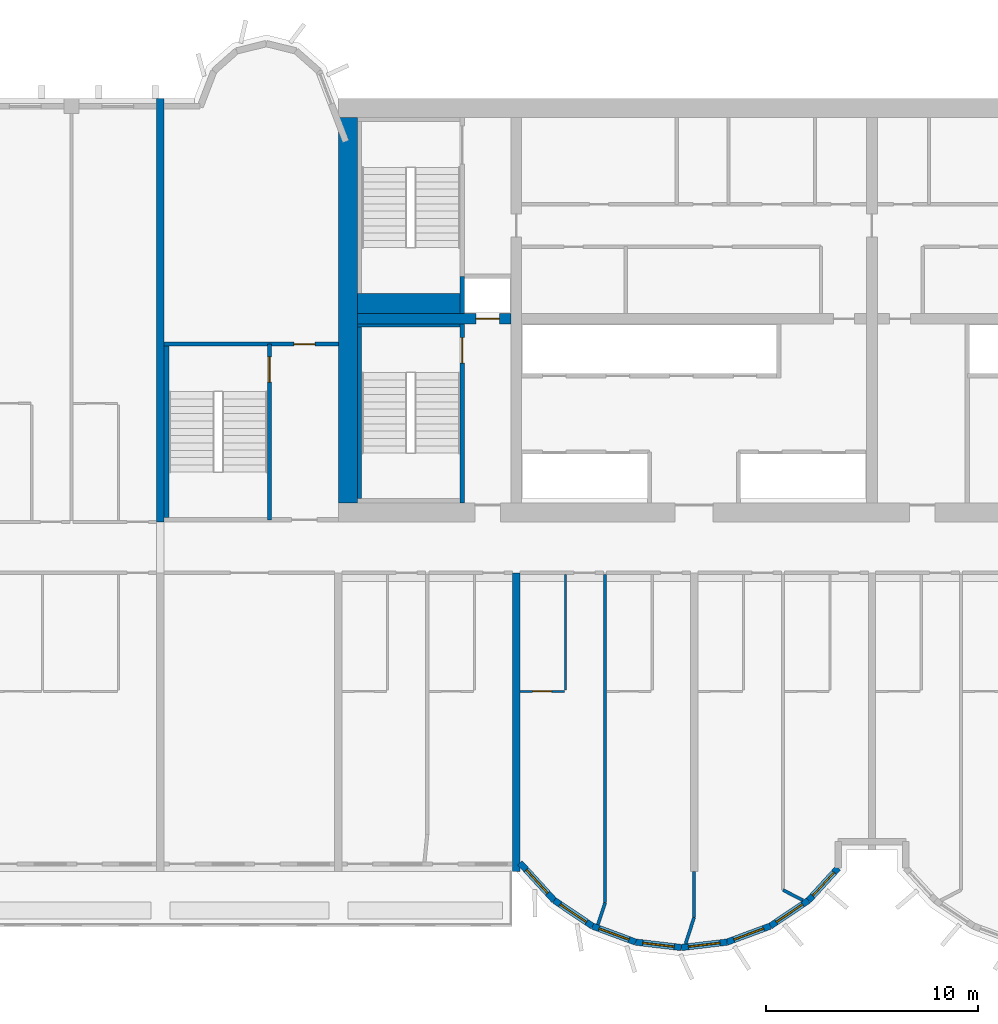
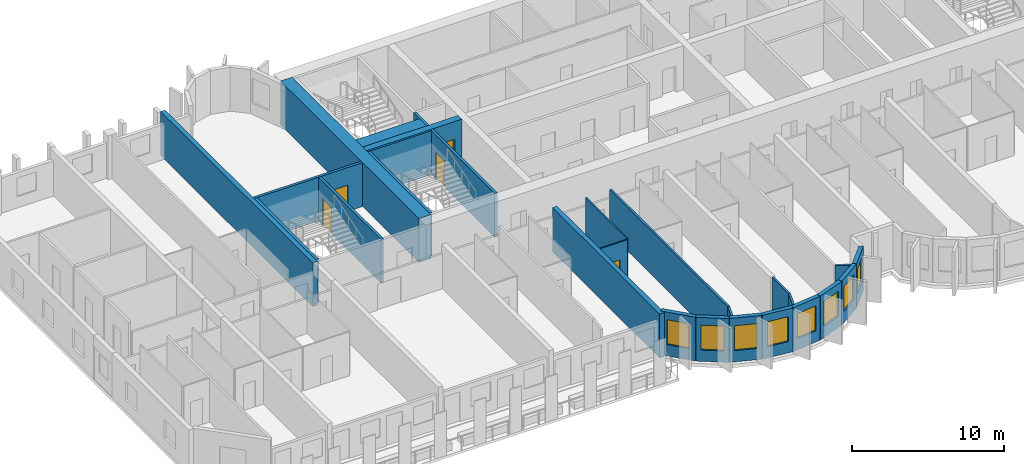
# One storey, part 4 of 15: 27 walls, 8 windows, 5 doors, 13 openings.
"""IFC4 building model written with IfcOpenShell, lengths in metres."""

import ifcopenshell
import ifcopenshell.guid

model = None  # the IFC model being written
_history = None  # IfcOwnerHistory: only IFC2X3 demands one
_inside = {}  # id of a spatial element -> (the spatial element, [elements in it])
_under = {}  # id of a project, library or spatial element -> (it, [spatial elements below it])
_declared = {}  # id of a project -> (the project, [libraries it declares])
_typed = {}  # id of a type object -> (the type object, [elements of that type])
_made_of = {}  # id of a material, layer set ... -> (it, [elements and type objects made of it])


def new_model(schema):
    """Start an empty IFC model of exactly this schema.

    Asked for "IFC4X3", IfcOpenShell would pick the latest addendum, in which some entities
    have other attributes; the version numbers below select the first issue.
    IFC2X3 requires an IfcOwnerHistory on every rooted entity: one is made here for all.
    """
    global model, _history
    if schema == "IFC4X3":
        model = ifcopenshell.file(schema_version=(4, 3, 0, 0))
    else:
        model = ifcopenshell.file(schema=schema)
    _inside.clear()
    _under.clear()
    _declared.clear()
    _typed.clear()
    _made_of.clear()
    _history = None
    if model.schema == "IFC2X3":
        org = make("IfcOrganization", Name="unknown")
        user = make(
            "IfcPersonAndOrganization",
            ThePerson=make("IfcPerson", FamilyName="unknown"),
            TheOrganization=org,
        )
        app = make(
            "IfcApplication",
            ApplicationDeveloper=org,
            Version="unknown",
            ApplicationFullName="unknown",
            ApplicationIdentifier="unknown",
        )
        _history = make(
            "IfcOwnerHistory",
            OwningUser=user,
            OwningApplication=app,
            ChangeAction="ADDED",
            CreationDate=0,
        )
    return model


def make(cls, **values):
    """One entity of the class cls with the attributes given. An attribute that is None is left unset."""
    return model.create_entity(
        cls, **{name: value for name, value in values.items() if value is not None}
    )


def rooted(cls, **values):
    """An entity with a GlobalId (a new one), such as an element, a storey or a relation."""
    return make(cls, GlobalId=ifcopenshell.guid.new(), OwnerHistory=_history, **values)


def si_unit(unit_type, name, prefix=None):
    """IfcSIUnit, for example si_unit("LENGTHUNIT", "METRE", prefix="MILLI")."""
    return make("IfcSIUnit", UnitType=unit_type, Prefix=prefix, Name=name)


def assignment(units):
    """IfcUnitAssignment: the units of a project."""
    return None if units is None else make("IfcUnitAssignment", Units=units)


def point(xyz):
    """IfcCartesianPoint."""
    return None if xyz is None else make("IfcCartesianPoint", Coordinates=xyz)


def direction(xyz):
    """IfcDirection."""
    return None if xyz is None else make("IfcDirection", DirectionRatios=xyz)


def frame(location, z_axis=None, x_axis=None):
    """IfcAxis2Placement3D, a coordinate frame: its origin and axes. An axis left out is left unset."""
    return make(
        "IfcAxis2Placement3D",
        Location=point(location),
        Axis=direction(z_axis),
        RefDirection=direction(x_axis),
    )


def frame_2d(location, x_axis=None):
    """IfcAxis2Placement2D, a coordinate frame in the plane: its origin and x axis."""
    return make(
        "IfcAxis2Placement2D", Location=point(location), RefDirection=direction(x_axis)
    )


def origin():
    """The frame at (0, 0, 0) with its axes left unset."""
    return frame((0.0, 0.0, 0.0))


def place(relative_to, where):
    """IfcLocalPlacement: puts the frame where relative to a parent placement (None: the world)."""
    return make(
        "IfcLocalPlacement", PlacementRelTo=relative_to, RelativePlacement=where
    )


def context(
    kind, dimensions, precision=None, world=None, true_north=None, identifier=None
):
    """IfcGeometricRepresentationContext, for example the 3D "Model" context."""
    return make(
        "IfcGeometricRepresentationContext",
        ContextIdentifier=identifier,
        ContextType=kind,
        CoordinateSpaceDimension=dimensions,
        Precision=precision,
        WorldCoordinateSystem=world,
        TrueNorth=true_north,
    )


def subcontext(parent, identifier, kind, view, scale=None):
    """IfcGeometricRepresentationSubContext, for example "Body" below "Model"."""
    return make(
        "IfcGeometricRepresentationSubContext",
        ContextIdentifier=identifier,
        ContextType=kind,
        ParentContext=parent,
        TargetScale=scale,
        TargetView=view,
    )


def project(units=None, contexts=None):
    """IfcProject with its units and contexts."""
    return rooted(
        "IfcProject",
        Name="project",
        RepresentationContexts=contexts,
        UnitsInContext=assignment(units),
    )


def spatial(cls, under=None, at=None, **own):
    """A site, building, storey or space (cls), placed at a placement, below another one or the project."""
    s = rooted(cls, ObjectPlacement=at, **own)
    if under is not None:
        _under.setdefault(under.id(), (under, []))[1].append(s)
    return s


def profile(cls, at=None, kind="AREA", **sizes):
    """A parametric profile (cls). Its sizes go by their IFC names, for example OverallWidth=200.0."""
    return make(cls, ProfileType=kind, Position=at, **sizes)


def rectangle(**sizes):
    """IfcRectangleProfileDef."""
    return profile("IfcRectangleProfileDef", **sizes)


def extrude(swept, where, along, depth):
    """IfcExtrudedAreaSolid: the profile swept, set in the frame where, extruded along a direction by depth."""
    return make(
        "IfcExtrudedAreaSolid",
        SweptArea=swept,
        Position=where,
        ExtrudedDirection=direction(along),
        Depth=depth,
    )


def shape(context_of_items, identifier, shape_type, items):
    """IfcShapeRepresentation: the items that make up one representation, for example the "Body"."""
    return make(
        "IfcShapeRepresentation",
        ContextOfItems=context_of_items,
        RepresentationIdentifier=identifier,
        RepresentationType=shape_type,
        Items=items,
    )


def source(mapping_origin, context_of_items, identifier, shape_type, items):
    """IfcRepresentationMap: a shape defined once, which mapped items show again and again."""
    return make(
        "IfcRepresentationMap",
        MappingOrigin=mapping_origin,
        MappedRepresentation=shape(context_of_items, identifier, shape_type, items),
    )


def transform(
    local_origin,
    x_axis=None,
    y_axis=None,
    z_axis=None,
    scale=None,
    scale2=None,
    scale3=None,
    uniform=True,
):
    """IfcCartesianTransformationOperator3D, or its non-uniform kind. x_axis, y_axis, z_axis: its Axis1, 2, 3."""
    if uniform:
        return make(
            "IfcCartesianTransformationOperator3D",
            Axis1=direction(x_axis),
            Axis2=direction(y_axis),
            LocalOrigin=point(local_origin),
            Scale=scale,
            Axis3=direction(z_axis),
        )
    return make(
        "IfcCartesianTransformationOperator3DnonUniform",
        Axis1=direction(x_axis),
        Axis2=direction(y_axis),
        LocalOrigin=point(local_origin),
        Scale=scale,
        Axis3=direction(z_axis),
        Scale2=scale2,
        Scale3=scale3,
    )


def mapped(mapping_source, mapping_target):
    """IfcMappedItem: shows the shape of a source again, moved by a transform."""
    return make(
        "IfcMappedItem", MappingSource=mapping_source, MappingTarget=mapping_target
    )


def material(Name=None, Category=None):
    """IfcMaterial."""
    return make("IfcMaterial", Name=Name, Category=Category)


def layer(
    of_material, thickness, ventilated=None, Name=None, Category=None, Priority=None
):
    """IfcMaterialLayer: one layer of a wall or slab, of a material (None: an air gap)."""
    return make(
        "IfcMaterialLayer",
        Material=of_material,
        LayerThickness=thickness,
        IsVentilated=ventilated,
        Name=Name,
        Category=Category,
        Priority=Priority,
    )


def layer_set(layers, Name=None):
    """IfcMaterialLayerSet."""
    return make("IfcMaterialLayerSet", MaterialLayers=layers, LayerSetName=Name)


def made_of(thing, what):
    """Note that an element or type object is made of a material, layer set ...; save() writes the relation."""
    if what is not None:
        _made_of.setdefault(what.id(), (what, []))[1].append(thing)
    return thing


def type_object(cls, material=None, **own):
    """A type object (cls), such as IfcWallType, which elements share."""
    return made_of(rooted(cls, **own), material)


def element(
    cls,
    number,
    at=None,
    inside=None,
    cuts=None,
    type_object=None,
    material=None,
    context=None,
    identifier="Body",
    shape_type=None,
    held_by="IfcProductDefinitionShape",
    body=None,
    shapes=None,
    **own,
):
    """One element of the class cls, such as IfcWall. Its Tag is "e" and its number.

    at: its placement. inside: the storey or other place that contains it. cuts: it is an
    opening in that element (IfcRelVoidsElement). A single representation is given by context,
    identifier, shape_type and body (its items); several are given by shapes. held_by: the class
    of the entity that holds the representations. save() writes the other relations.
    """
    e = rooted(cls, Tag="e%d" % number, ObjectPlacement=at, **own)
    if body is not None:
        shapes = [shape(context, identifier, shape_type, body)]
    if shapes is not None:
        e.Representation = make(held_by, Representations=shapes)
    if inside is not None:
        _inside.setdefault(inside.id(), (inside, []))[1].append(e)
    if cuts is not None:
        rooted(
            "IfcRelVoidsElement", RelatingBuildingElement=cuts, RelatedOpeningElement=e
        )
    if type_object is not None:
        _typed.setdefault(type_object.id(), (type_object, []))[1].append(e)
    return made_of(e, material)


def fill(opening, filler):
    """IfcRelFillsElement: the door or window that sits in an opening."""
    return rooted(
        "IfcRelFillsElement",
        RelatingOpeningElement=opening,
        RelatedBuildingElement=filler,
    )


def aggregate(whole, parts):
    """IfcRelAggregates: a whole, such as a stair, and the parts it consists of."""
    return rooted("IfcRelAggregates", RelatingObject=whole, RelatedObjects=parts)


def save(model, path):
    """Write the relations noted so far, then the file.

    IfcRelAggregates (storeys below a building ...), IfcRelContainedInSpatialStructure (elements
    in a storey), IfcRelDefinesByType, IfcRelAssociatesMaterial and IfcRelDeclares: one each for
    every whole, place, type object, material and project.
    """
    for whole, parts in _under.values():
        aggregate(whole, parts)
    for where, things in _inside.values():
        rooted(
            "IfcRelContainedInSpatialStructure",
            RelatedElements=things,
            RelatingStructure=where,
        )
    for kind, things in _typed.values():
        rooted("IfcRelDefinesByType", RelatedObjects=things, RelatingType=kind)
    for what, things in _made_of.values():
        rooted("IfcRelAssociatesMaterial", RelatedObjects=things, RelatingMaterial=what)
    for by, libraries in _declared.values():
        rooted("IfcRelDeclares", RelatingContext=by, RelatedDefinitions=libraries)
    model.write(path)


model = new_model("IFC4")

# Units and contexts
model_context = context("Model", 3, precision=1e-05, world=origin(), true_north=direction((0.0, 1.0)))
body_context = subcontext(model_context, "Body", "Model", "MODEL_VIEW")
ifc_project = project(units=[si_unit("LENGTHUNIT", "METRE"), si_unit("AREAUNIT", "SQUARE_METRE"), si_unit("VOLUMEUNIT", "CUBIC_METRE"), si_unit("PLANEANGLEUNIT", "RADIAN"), si_unit("MASSUNIT", "GRAM", prefix="KILO")], contexts=[model_context])

# Site, building, storey
site_placement = place(None, origin())
site = spatial("IfcSite", under=ifc_project, at=site_placement, CompositionType="ELEMENT")
building_placement = place(site_placement, origin())
building = spatial("IfcBuilding", under=site, at=building_placement, Name="Vanashikhar Sky Hotel", CompositionType="ELEMENT")
storey_placement = place(building_placement, frame((0.0, 0.0, 95.199951171875)))
storey = spatial("IfcBuildingStorey", under=building, at=storey_placement, Name="L22", CompositionType="ELEMENT", Elevation=95.199951171875)

# Wall
ifc_material_1 = material(Name="Concrete M70", Category="concrete")
ifc_layer_1 = layer(ifc_material_1, 0.89990234375)
ifc_layer_set_1 = layer_set([ifc_layer_1], Name="RC core shell wall 900 Concrete M70")
wall_type_1 = type_object("IfcWallType", Name="RC core shell wall 900 Concrete M70", PredefinedType="SHEAR", material=ifc_layer_set_1)
shared_shape_1 = source(origin(), body_context, "Body", "SweptSolid", [
    extrude(rectangle(XDim=18.2001953125, YDim=0.89990234375, at=frame_2d((9.10009765625, 0.0))), origin(), (0.0, 0.0, 1.0), 3.52001953125),
])
wall_1_placement = place(storey_placement, frame((25.64990234375, 22.89990234375, 0.0), z_axis=(0.0, 0.0, 1.0), x_axis=(0.0, 1.0, 0.0)))
element("IfcWall", 1, at=wall_1_placement, inside=storey, type_object=wall_type_1, Name="KW-L22-KW", PredefinedType="SHEAR", context=body_context, shape_type="MappedRepresentation", body=[
    mapped(shared_shape_1, transform((0.0, 0.0, 0.0), scale=1.0)),
])

# Wall, opening, door
ifc_layer_2 = layer(ifc_material_1, 0.5)
ifc_layer_set_2 = layer_set([ifc_layer_2], Name="RC core inner wall 500 Concrete M70")
wall_type_2 = type_object("IfcWallType", Name="RC core inner wall 500 Concrete M70", PredefinedType="SHEAR", material=ifc_layer_set_2)
shared_shape_2 = source(origin(), body_context, "Body", "SweptSolid", [
    extrude(rectangle(XDim=7.25, YDim=0.5, at=frame_2d((3.625, 0.0))), origin(), (0.0, 0.0, 1.0), 3.52001953125),
])
wall_2_placement = place(storey_placement, frame((26.10009765625, 31.60009765625, 0.0), z_axis=(0.0, 0.0, 1.0), x_axis=(1.0, 0.0, 0.0)))
wall_2 = element("IfcWall", 2, at=wall_2_placement, inside=storey, type_object=wall_type_2, Name="KW-L22-KY1", PredefinedType="SHEAR", context=body_context, shape_type="MappedRepresentation", body=[
    mapped(shared_shape_2, transform((0.0, 0.0, 0.0), scale=1.0)),
])
shared_shape_3 = source(origin(), body_context, "Body", "SweptSolid", [
    extrude(rectangle(XDim=1.10009765625, YDim=2.10009765625, at=frame_2d((0.550048828125, 1.050048828125))), frame((0.0, 0.260009765625, 0.0), z_axis=(0.0, -1.0, 0.0), x_axis=(1.0, 0.0, 0.0)), (0.0, 0.0, 1.0), 0.52001953125),
])
opening_1_placement = place(wall_2_placement, frame((5.60009765625, 0.0, 0.0)))
opening_1 = element("IfcOpeningElement", 3, at=opening_1_placement, cuts=wall_2, Name="Opening LD", PredefinedType="OPENING", context=body_context, shape_type="MappedRepresentation", body=[
    mapped(shared_shape_3, transform((0.0, 0.0, 0.0), scale=1.0)),
])
ifc_material_2 = material(Name="Stainless steel", Category="steel")
door_type_1 = type_object("IfcDoorType", Name="Lift landing door 1100", OperationType="NOTDEFINED", PredefinedType="DOOR", material=ifc_material_2)
shared_shape_4 = source(origin(), body_context, "Body", "SweptSolid", [
    extrude(rectangle(XDim=1.10009765625, YDim=2.10009765625, at=frame_2d((0.550048828125, 1.050048828125))), frame((0.0, 0.02490234375, 0.0), z_axis=(0.0, -1.0, 0.0), x_axis=(1.0, 0.0, 0.0)), (0.0, 0.0, 1.0), 0.050048828125),
])
door_1_placement = place(opening_1_placement, origin())
door_1 = element("IfcDoor", 4, at=door_1_placement, inside=storey, type_object=door_type_1, Name="Lift landing door 1100", OperationType="SLIDING_TO_RIGHT", OverallHeight=2.10009765625, OverallWidth=1.10009765625, PredefinedType="DOOR", context=body_context, shape_type="MappedRepresentation", body=[
    mapped(shared_shape_4, transform((0.0, 0.0, 0.0), scale=1.0)),
])
fill(opening_1, door_1)

# Walls
ifc_layer_3 = layer(ifc_material_1, 0.35009765625)
ifc_layer_set_3 = layer_set([ifc_layer_3], Name="RC shear wall 350 Concrete M70")
wall_type_3 = type_object("IfcWallType", Name="RC shear wall 350 Concrete M70", PredefinedType="SHEAR", material=ifc_layer_set_3)
shared_shape_5 = source(origin(), body_context, "Body", "SweptSolid", [
    extrude(rectangle(XDim=14.10009765625, YDim=0.35009765625, at=frame_2d((7.050048828125, 0.0))), origin(), (0.0, 0.0, 1.0), 3.52001953125),
])
wall_3_placement = place(storey_placement, frame((33.60009765625, 5.5, 0.0), z_axis=(0.0, 0.0, 1.0), x_axis=(0.0, 1.0, 0.0)))
element("IfcWall", 5, at=wall_3_placement, inside=storey, type_object=wall_type_3, Name="CW-L22-XW05-1", PredefinedType="SHEAR", context=body_context, shape_type="MappedRepresentation", body=[
    mapped(shared_shape_5, transform((0.0, 0.0, 0.0), scale=1.0)),
])
shared_shape_6 = source(origin(), body_context, "Body", "SweptSolid", [
    extrude(rectangle(XDim=20.0, YDim=0.35009765625, at=frame_2d((10.0, 0.0))), origin(), (0.0, 0.0, 1.0), 3.52001953125),
])
wall_4_placement = place(storey_placement, frame((16.800048828125, 22.0, 0.0), z_axis=(0.0, 0.0, 1.0), x_axis=(0.0, 1.0, 0.0)))
element("IfcWall", 6, at=wall_4_placement, inside=storey, type_object=wall_type_3, Name="CW-L22-XW03-2", PredefinedType="SHEAR", context=body_context, shape_type="MappedRepresentation", body=[
    mapped(shared_shape_6, transform((0.0, 0.0, 0.0), scale=1.0)),
])

# Wall, opening, window
ifc_material_3 = material(Name="Concrete M50", Category="concrete")
ifc_layer_4 = layer(ifc_material_3, 0.300048828125)
ifc_layer_set_4 = layer_set([ifc_layer_4], Name="Lobe wall 300")
wall_type_4 = type_object("IfcWallType", Name="Lobe wall 300", PredefinedType="SOLIDWALL", material=ifc_layer_set_4)
shared_shape_7 = source(origin(), body_context, "Body", "SweptSolid", [
    extrude(rectangle(XDim=2.398193359375, YDim=0.300048828125, at=frame_2d((1.19921875, 0.0))), origin(), (0.0, 0.0, 1.0), 3.52001953125),
])
wall_5_placement = place(storey_placement, frame((33.776123046875, 5.89990234375, 0.0), z_axis=(0.0, 0.0, 1.0), x_axis=(0.675374189419, -0.737475222815, 0.0)))
wall_5 = element("IfcWall", 7, at=wall_5_placement, inside=storey, type_object=wall_type_4, Name="Lobe wall", PredefinedType="SOLIDWALL", context=body_context, shape_type="MappedRepresentation", body=[
    mapped(shared_shape_7, transform((0.0, 0.0, 0.0), scale=1.0)),
])
shared_shape_8 = source(origin(), body_context, "Body", "SweptSolid", [
    extrude(rectangle(XDim=1.5, YDim=2.0, at=frame_2d((0.75, 1.0))), frame((0.0, 0.16015625, 0.0), z_axis=(0.0, -1.0, 0.0), x_axis=(1.0, 0.0, 0.0)), (0.0, 0.0, 1.0), 0.320068359375),
])
opening_2_placement = place(wall_5_placement, frame((0.44921875, 0.0, 0.89990234375)))
opening_2 = element("IfcOpeningElement", 8, at=opening_2_placement, cuts=wall_5, Name="Opening WN-2", PredefinedType="OPENING", context=body_context, shape_type="MappedRepresentation", body=[
    mapped(shared_shape_8, transform((0.0, 0.0, 0.0), scale=1.0)),
])
ifc_material_4 = material(Name="Glass", Category="glass")
window_type = type_object("IfcWindowType", Name="Lobe window 1500 x 2000", PartitioningType="SINGLE_PANEL", PredefinedType="WINDOW", material=ifc_material_4)
shared_shape_9 = source(origin(), body_context, "Body", "SweptSolid", [
    extrude(rectangle(XDim=1.5, YDim=2.0, at=frame_2d((0.75, 1.0))), frame((0.0, 0.030029296875, 0.0), z_axis=(0.0, -1.0, 0.0), x_axis=(1.0, 0.0, 0.0)), (0.0, 0.0, 1.0), 0.06005859375),
])
window_1_placement = place(opening_2_placement, origin())
window_1 = element("IfcWindow", 9, at=window_1_placement, inside=storey, type_object=window_type, Name="Window WN-2", OverallHeight=2.0, OverallWidth=1.5, PartitioningType="SINGLE_PANEL", PredefinedType="WINDOW", context=body_context, shape_type="MappedRepresentation", body=[
    mapped(shared_shape_9, transform((0.0, 0.0, 0.0), scale=1.0)),
])
fill(opening_2, window_1)

shared_shape_10 = source(origin(), body_context, "Body", "SweptSolid", [
    extrude(rectangle(XDim=2.17578125, YDim=0.300048828125, at=frame_2d((1.087890625, 0.0))), origin(), (0.0, 0.0, 1.0), 3.52001953125),
])
wall_6_placement = place(storey_placement, frame((35.395751953125, 4.13134765625, 0.0), z_axis=(0.0, 0.0, 1.0), x_axis=(0.829590746428, -0.558371913192, 0.0)))
wall_6 = element("IfcWall", 10, at=wall_6_placement, inside=storey, type_object=wall_type_4, Name="Lobe wall", PredefinedType="SOLIDWALL", context=body_context, shape_type="MappedRepresentation", body=[
    mapped(shared_shape_10, transform((0.0, 0.0, 0.0), scale=1.0)),
])
opening_3_placement = place(wall_6_placement, frame((0.337890625, 0.0, 0.89990234375)))
opening_3 = element("IfcOpeningElement", 11, at=opening_3_placement, cuts=wall_6, Name="Opening WN-2", PredefinedType="OPENING", context=body_context, shape_type="MappedRepresentation", body=[
    mapped(shared_shape_8, transform((0.0, 0.0, 0.0), scale=1.0)),
])
window_2_placement = place(opening_3_placement, origin())
window_2 = element("IfcWindow", 12, at=window_2_placement, inside=storey, type_object=window_type, Name="Window WN-2", OverallHeight=2.0, OverallWidth=1.5, PartitioningType="SINGLE_PANEL", PredefinedType="WINDOW", context=body_context, shape_type="MappedRepresentation", body=[
    mapped(shared_shape_9, transform((0.0, 0.0, 0.0), scale=1.0)),
])
fill(opening_3, window_2)

wall_7_placement = place(storey_placement, frame((37.20068359375, 2.91650390625, 0.0), z_axis=(0.0, 0.0, 1.0), x_axis=(0.93754555999, -0.347862505801, 0.0)))
wall_7 = element("IfcWall", 13, at=wall_7_placement, inside=storey, type_object=wall_type_4, Name="Lobe wall", PredefinedType="SOLIDWALL", context=body_context, shape_type="MappedRepresentation", body=[
    mapped(shared_shape_10, transform((0.0, 0.0, 0.0), scale=1.0)),
])
opening_4_placement = place(wall_7_placement, frame((0.337890625, 0.0, 0.89990234375)))
opening_4 = element("IfcOpeningElement", 14, at=opening_4_placement, cuts=wall_7, Name="Opening WN-2", PredefinedType="OPENING", context=body_context, shape_type="MappedRepresentation", body=[
    mapped(shared_shape_8, transform((0.0, 0.0, 0.0), scale=1.0)),
])
window_3_placement = place(opening_4_placement, origin())
window_3 = element("IfcWindow", 15, at=window_3_placement, inside=storey, type_object=window_type, Name="Window WN-2", OverallHeight=2.0, OverallWidth=1.5, PartitioningType="SINGLE_PANEL", PredefinedType="WINDOW", context=body_context, shape_type="MappedRepresentation", body=[
    mapped(shared_shape_9, transform((0.0, 0.0, 0.0), scale=1.0)),
])
fill(opening_4, window_3)

wall_8_placement = place(storey_placement, frame((45.59912109375, 2.91650390625, 0.0), z_axis=(0.0, 0.0, 1.0), x_axis=(0.829625727223, 0.558319937607, 0.0)))
wall_8 = element("IfcWall", 16, at=wall_8_placement, inside=storey, type_object=wall_type_4, Name="Lobe wall", PredefinedType="SOLIDWALL", context=body_context, shape_type="MappedRepresentation", body=[
    mapped(shared_shape_10, transform((0.0, 0.0, 0.0), scale=1.0)),
])
opening_5_placement = place(wall_8_placement, frame((0.337890625, 0.0, 0.89990234375)))
opening_5 = element("IfcOpeningElement", 17, at=opening_5_placement, cuts=wall_8, Name="Opening WN-2", PredefinedType="OPENING", context=body_context, shape_type="MappedRepresentation", body=[
    mapped(shared_shape_8, transform((0.0, 0.0, 0.0), scale=1.0)),
])
window_4_placement = place(opening_5_placement, origin())
window_4 = element("IfcWindow", 18, at=window_4_placement, inside=storey, type_object=window_type, Name="Window WN-2", OverallHeight=2.0, OverallWidth=1.5, PartitioningType="SINGLE_PANEL", PredefinedType="WINDOW", context=body_context, shape_type="MappedRepresentation", body=[
    mapped(shared_shape_9, transform((0.0, 0.0, 0.0), scale=1.0)),
])
fill(opening_5, window_4)

shared_shape_11 = source(origin(), body_context, "Body", "SweptSolid", [
    extrude(rectangle(XDim=2.174560546875, YDim=0.300048828125, at=frame_2d((1.08740234375, 0.0))), origin(), (0.0, 0.0, 1.0), 3.52001953125),
])
wall_9_placement = place(storey_placement, frame((39.240478515625, 2.15966796875, 0.0), z_axis=(0.0, 0.0, 1.0), x_axis=(0.993001132889, -0.118104826659, 0.0)))
wall_9 = element("IfcWall", 19, at=wall_9_placement, inside=storey, type_object=wall_type_4, Name="Lobe wall", PredefinedType="SOLIDWALL", context=body_context, shape_type="MappedRepresentation", body=[
    mapped(shared_shape_11, transform((0.0, 0.0, 0.0), scale=1.0)),
])
opening_6_placement = place(wall_9_placement, frame((0.33740234375, 0.0, 0.89990234375)))
opening_6 = element("IfcOpeningElement", 20, at=opening_6_placement, cuts=wall_9, Name="Opening WN-2", PredefinedType="OPENING", context=body_context, shape_type="MappedRepresentation", body=[
    mapped(shared_shape_8, transform((0.0, 0.0, 0.0), scale=1.0)),
])
window_5_placement = place(opening_6_placement, origin())
window_5 = element("IfcWindow", 21, at=window_5_placement, inside=storey, type_object=window_type, Name="Window WN-2", OverallHeight=2.0, OverallWidth=1.5, PartitioningType="SINGLE_PANEL", PredefinedType="WINDOW", context=body_context, shape_type="MappedRepresentation", body=[
    mapped(shared_shape_9, transform((0.0, 0.0, 0.0), scale=1.0)),
])
fill(opening_6, window_5)

shared_shape_12 = source(origin(), body_context, "Body", "SweptSolid", [
    extrude(rectangle(XDim=2.1748046875, YDim=0.300048828125, at=frame_2d((1.08740234375, 0.0))), origin(), (0.0, 0.0, 1.0), 3.52001953125),
])
wall_10_placement = place(storey_placement, frame((41.39990234375, 1.90283203125, 0.0), z_axis=(0.0, 0.0, 1.0), x_axis=(0.993002698611, 0.118091661648, 0.0)))
wall_10 = element("IfcWall", 22, at=wall_10_placement, inside=storey, type_object=wall_type_4, Name="Lobe wall", PredefinedType="SOLIDWALL", context=body_context, shape_type="MappedRepresentation", body=[
    mapped(shared_shape_12, transform((0.0, 0.0, 0.0), scale=1.0)),
])
opening_7_placement = place(wall_10_placement, frame((0.33740234375, 0.0, 0.89990234375)))
opening_7 = element("IfcOpeningElement", 23, at=opening_7_placement, cuts=wall_10, Name="Opening WN-2", PredefinedType="OPENING", context=body_context, shape_type="MappedRepresentation", body=[
    mapped(shared_shape_8, transform((0.0, 0.0, 0.0), scale=1.0)),
])
window_6_placement = place(opening_7_placement, origin())
window_6 = element("IfcWindow", 24, at=window_6_placement, inside=storey, type_object=window_type, Name="Window WN-2", OverallHeight=2.0, OverallWidth=1.5, PartitioningType="SINGLE_PANEL", PredefinedType="WINDOW", context=body_context, shape_type="MappedRepresentation", body=[
    mapped(shared_shape_9, transform((0.0, 0.0, 0.0), scale=1.0)),
])
fill(opening_7, window_6)

shared_shape_13 = source(origin(), body_context, "Body", "SweptSolid", [
    extrude(rectangle(XDim=2.175537109375, YDim=0.300048828125, at=frame_2d((1.087890625, 0.0))), origin(), (0.0, 0.0, 1.0), 3.52001953125),
])
wall_11_placement = place(storey_placement, frame((43.5595703125, 2.15966796875, 0.0), z_axis=(0.0, 0.0, 1.0), x_axis=(0.937531979054, 0.347899106424, 0.0)))
wall_11 = element("IfcWall", 25, at=wall_11_placement, inside=storey, type_object=wall_type_4, Name="Lobe wall", PredefinedType="SOLIDWALL", context=body_context, shape_type="MappedRepresentation", body=[
    mapped(shared_shape_13, transform((0.0, 0.0, 0.0), scale=1.0)),
])
opening_8_placement = place(wall_11_placement, frame((0.337890625, 0.0, 0.89990234375)))
opening_8 = element("IfcOpeningElement", 26, at=opening_8_placement, cuts=wall_11, Name="Opening WN-2", PredefinedType="OPENING", context=body_context, shape_type="MappedRepresentation", body=[
    mapped(shared_shape_8, transform((0.0, 0.0, 0.0), scale=1.0)),
])
window_7_placement = place(opening_8_placement, origin())
window_7 = element("IfcWindow", 27, at=window_7_placement, inside=storey, type_object=window_type, Name="Window WN-2", OverallHeight=2.0, OverallWidth=1.5, PartitioningType="SINGLE_PANEL", PredefinedType="WINDOW", context=body_context, shape_type="MappedRepresentation", body=[
    mapped(shared_shape_9, transform((0.0, 0.0, 0.0), scale=1.0)),
])
fill(opening_8, window_7)

shared_shape_14 = source(origin(), body_context, "Body", "SweptSolid", [
    extrude(rectangle(XDim=2.066650390625, YDim=0.300048828125, at=frame_2d((1.033203125, 0.0))), origin(), (0.0, 0.0, 1.0), 3.52001953125),
])
wall_12_placement = place(storey_placement, frame((47.404296875, 4.13134765625, 0.0), z_axis=(0.0, 0.0, 1.0), x_axis=(0.675355439877, 0.737492393065, 0.0)))
wall_12 = element("IfcWall", 28, at=wall_12_placement, inside=storey, type_object=wall_type_4, Name="Lobe wall", PredefinedType="SOLIDWALL", context=body_context, shape_type="MappedRepresentation", body=[
    mapped(shared_shape_14, transform((0.0, 0.0, 0.0), scale=1.0)),
])
opening_9_placement = place(wall_12_placement, frame((0.283447265625, 0.0, 0.89990234375)))
opening_9 = element("IfcOpeningElement", 29, at=opening_9_placement, cuts=wall_12, Name="Opening WN-2", PredefinedType="OPENING", context=body_context, shape_type="MappedRepresentation", body=[
    mapped(shared_shape_8, transform((0.0, 0.0, 0.0), scale=1.0)),
])
window_8_placement = place(opening_9_placement, origin())
window_8 = element("IfcWindow", 30, at=window_8_placement, inside=storey, type_object=window_type, Name="Window WN-2", OverallHeight=2.0, OverallWidth=1.5, PartitioningType="SINGLE_PANEL", PredefinedType="WINDOW", context=body_context, shape_type="MappedRepresentation", body=[
    mapped(shared_shape_9, transform((0.0, 0.0, 0.0), scale=1.0)),
])
fill(opening_9, window_8)

# Wall, opening, door
ifc_layer_5 = layer(ifc_material_3, 0.199951171875)
ifc_layer_set_5 = layer_set([ifc_layer_5], Name="Stair wall 200")
wall_type_5 = type_object("IfcWallType", Name="Stair wall 200", PredefinedType="SOLIDWALL", material=ifc_layer_set_5)
shared_shape_15 = source(origin(), body_context, "Body", "SweptSolid", [
    extrude(rectangle(XDim=8.2998046875, YDim=0.199951171875, at=frame_2d((4.14990234375, 0.0))), origin(), (0.0, 0.0, 1.0), 3.52001953125),
])
wall_13_placement = place(storey_placement, frame((21.949951171875, 22.10009765625, 0.0), z_axis=(0.0, 0.0, 1.0), x_axis=(0.0, 1.0, 0.0)))
wall_13 = element("IfcWall", 31, at=wall_13_placement, inside=storey, type_object=wall_type_5, Name="Stair wall 200", PredefinedType="SOLIDWALL", context=body_context, shape_type="MappedRepresentation", body=[
    mapped(shared_shape_15, transform((0.0, 0.0, 0.0), scale=1.0)),
])
shared_shape_16 = source(origin(), body_context, "Body", "SweptSolid", [
    extrude(rectangle(XDim=1.199951171875, YDim=2.10009765625, at=frame_2d((0.60009765625, 1.050048828125))), frame((0.0, 0.10986328125, 0.0), z_axis=(0.0, -1.0, 0.0), x_axis=(1.0, 0.0, 0.0)), (0.0, 0.0, 1.0), 0.219970703125),
])
opening_10_placement = place(wall_13_placement, frame((6.5, 0.0, 0.0)))
opening_10 = element("IfcOpeningElement", 32, at=opening_10_placement, cuts=wall_13, Name="Opening DC-1", PredefinedType="OPENING", context=body_context, shape_type="MappedRepresentation", body=[
    mapped(shared_shape_16, transform((0.0, 0.0, 0.0), scale=1.0)),
])
ifc_material_5 = material(Name="Steel", Category="steel")
door_type_2 = type_object("IfcDoorType", Name="Stair door 1200 FD120", OperationType="NOTDEFINED", PredefinedType="DOOR", material=ifc_material_5)
shared_shape_17 = source(origin(), body_context, "Body", "SweptSolid", [
    extrude(rectangle(XDim=1.199951171875, YDim=2.10009765625, at=frame_2d((0.60009765625, 1.050048828125))), frame((0.0, 0.02490234375, 0.0), z_axis=(0.0, -1.0, 0.0), x_axis=(1.0, 0.0, 0.0)), (0.0, 0.0, 1.0), 0.050048828125),
])
door_2_placement = place(opening_10_placement, origin())
door_2 = element("IfcDoor", 33, at=door_2_placement, inside=storey, type_object=door_type_2, Name="Stair door 1200 FD120", OperationType="SINGLE_SWING_LEFT", OverallHeight=2.10009765625, OverallWidth=1.199951171875, PredefinedType="DOOR", context=body_context, shape_type="MappedRepresentation", body=[
    mapped(shared_shape_17, transform((0.0, 0.0, 0.0), scale=1.0)),
])
fill(opening_10, door_2)

shared_shape_18 = source(origin(), body_context, "Body", "SweptSolid", [
    extrude(rectangle(XDim=8.4501953125, YDim=0.199951171875, at=frame_2d((4.22509765625, 0.0))), origin(), (0.0, 0.0, 1.0), 3.52001953125),
])
wall_14_placement = place(storey_placement, frame((31.050048828125, 22.89990234375, 0.0), z_axis=(0.0, 0.0, 1.0), x_axis=(0.0, 1.0, 0.0)))
wall_14 = element("IfcWall", 34, at=wall_14_placement, inside=storey, type_object=wall_type_5, Name="Stair wall 200", PredefinedType="SOLIDWALL", context=body_context, shape_type="MappedRepresentation", body=[
    mapped(shared_shape_18, transform((0.0, 0.0, 0.0), scale=1.0)),
])
opening_11_placement = place(wall_14_placement, frame((6.60009765625, 0.0, 0.0)))
opening_11 = element("IfcOpeningElement", 35, at=opening_11_placement, cuts=wall_14, Name="Opening DC-1", PredefinedType="OPENING", context=body_context, shape_type="MappedRepresentation", body=[
    mapped(shared_shape_16, transform((0.0, 0.0, 0.0), scale=1.0)),
])
door_3_placement = place(opening_11_placement, origin())
door_3 = element("IfcDoor", 36, at=door_3_placement, inside=storey, type_object=door_type_2, Name="Stair door 1200 FD120", OperationType="SINGLE_SWING_LEFT", OverallHeight=2.10009765625, OverallWidth=1.199951171875, PredefinedType="DOOR", context=body_context, shape_type="MappedRepresentation", body=[
    mapped(shared_shape_17, transform((0.0, 0.0, 0.0), scale=1.0)),
])
fill(opening_11, door_3)

# Wall
ifc_material_6 = material(Name="Concrete M40", Category="concrete")
ifc_layer_6 = layer(ifc_material_6, 0.199951171875)
ifc_layer_set_6 = layer_set([ifc_layer_6], Name="Shaft wall 200")
wall_type_6 = type_object("IfcWallType", Name="Shaft wall 200", PredefinedType="SOLIDWALL", material=ifc_layer_set_6)
shared_shape_19 = source(origin(), body_context, "Body", "SweptSolid", [
    extrude(rectangle(XDim=1.75, YDim=0.199951171875, at=frame_2d((0.875, 0.0))), origin(), (0.0, 0.0, 1.0), 3.52001953125),
])
wall_15_placement = place(storey_placement, frame((31.050048828125, 31.85009765625, 0.0), z_axis=(0.0, 0.0, 1.0), x_axis=(0.0, 1.0, 0.0)))
element("IfcWall", 37, at=wall_15_placement, inside=storey, type_object=wall_type_6, Name="Shaft wall 200", PredefinedType="SOLIDWALL", context=body_context, shape_type="MappedRepresentation", body=[
    mapped(shared_shape_19, transform((0.0, 0.0, 0.0), scale=1.0)),
])

# Wall, opening, door
shared_shape_20 = source(origin(), body_context, "Body", "SweptSolid", [
    extrude(rectangle(XDim=8.224853515625, YDim=0.199951171875, at=frame_2d((4.1123046875, 0.0))), origin(), (0.0, 0.0, 1.0), 3.52001953125),
])
wall_16_placement = place(storey_placement, frame((16.97509765625, 30.39990234375, 0.0), z_axis=(0.0, 0.0, 1.0), x_axis=(1.0, 0.0, 0.0)))
wall_16 = element("IfcWall", 38, at=wall_16_placement, inside=storey, type_object=wall_type_5, Name="Stair wall 200", PredefinedType="SOLIDWALL", context=body_context, shape_type="MappedRepresentation", body=[
    mapped(shared_shape_20, transform((0.0, 0.0, 0.0), scale=1.0)),
])
shared_shape_21 = source(origin(), body_context, "Body", "SweptSolid", [
    extrude(rectangle(XDim=1.0, YDim=2.10009765625, at=frame_2d((0.5, 1.050048828125))), frame((0.0, 0.10986328125, 0.0), z_axis=(0.0, -1.0, 0.0), x_axis=(1.0, 0.0, 0.0)), (0.0, 0.0, 1.0), 0.219970703125),
])
opening_12_placement = place(wall_16_placement, frame((6.125, 0.0, 0.0)))
opening_12 = element("IfcOpeningElement", 39, at=opening_12_placement, cuts=wall_16, Name="Opening DC-6", PredefinedType="OPENING", context=body_context, shape_type="MappedRepresentation", body=[
    mapped(shared_shape_21, transform((0.0, 0.0, 0.0), scale=1.0)),
])
door_type_3 = type_object("IfcDoorType", Name="Pocket door 1000 FD60", OperationType="NOTDEFINED", PredefinedType="DOOR", material=ifc_material_5)
shared_shape_22 = source(origin(), body_context, "Body", "SweptSolid", [
    extrude(rectangle(XDim=1.0, YDim=2.10009765625, at=frame_2d((0.5, 1.050048828125))), frame((0.0, 0.02490234375, 0.0), z_axis=(0.0, -1.0, 0.0), x_axis=(1.0, 0.0, 0.0)), (0.0, 0.0, 1.0), 0.050048828125),
])
door_4_placement = place(opening_12_placement, origin())
door_4 = element("IfcDoor", 40, at=door_4_placement, inside=storey, type_object=door_type_3, Name="Pocket door 1000 FD60", OperationType="SINGLE_SWING_LEFT", OverallHeight=2.10009765625, OverallWidth=1.0, PredefinedType="DOOR", context=body_context, shape_type="MappedRepresentation", body=[
    mapped(shared_shape_22, transform((0.0, 0.0, 0.0), scale=1.0)),
])
fill(opening_12, door_4)

# Walls
ifc_layer_7 = layer(ifc_material_3, 0.14990234375)
ifc_layer_set_7 = layer_set([ifc_layer_7], Name="Stair infill wall 150")
wall_type_7 = type_object("IfcWallType", Name="Stair infill wall 150", PredefinedType="SOLIDWALL", material=ifc_layer_set_7)
shared_shape_23 = source(origin(), body_context, "Body", "SweptSolid", [
    extrude(rectangle(XDim=4.849853515625, YDim=0.14990234375, at=frame_2d((2.4248046875, 0.0))), origin(), (0.0, 0.0, 1.0), 3.52001953125),
])
wall_17_placement = place(storey_placement, frame((26.10009765625, 31.27490234375, 0.0), z_axis=(0.0, 0.0, 1.0), x_axis=(1.0, 0.0, 0.0)))
element("IfcWall", 41, at=wall_17_placement, inside=storey, type_object=wall_type_7, Name="Stair infill wall 150", PredefinedType="SOLIDWALL", context=body_context, shape_type="MappedRepresentation", body=[
    mapped(shared_shape_23, transform((0.0, 0.0, 0.0), scale=1.0)),
])
ifc_layer_8 = layer(ifc_material_3, 0.199951171875)
ifc_layer_set_8 = layer_set([ifc_layer_8], Name="Stair infill wall 200")
wall_type_8 = type_object("IfcWallType", Name="Stair infill wall 200", PredefinedType="SOLIDWALL", material=ifc_layer_set_8)
shared_shape_24 = source(origin(), body_context, "Body", "SweptSolid", [
    extrude(rectangle(XDim=8.099853515625, YDim=0.199951171875, at=frame_2d((4.0498046875, 0.0))), origin(), (0.0, 0.0, 1.0), 3.52001953125),
])
wall_18_placement = place(storey_placement, frame((26.199951171875, 23.10009765625, 0.0), z_axis=(0.0, 0.0, 1.0), x_axis=(0.0, 1.0, 0.0)))
element("IfcWall", 42, at=wall_18_placement, inside=storey, type_object=wall_type_8, Name="Stair infill wall 200", PredefinedType="SOLIDWALL", context=body_context, shape_type="MappedRepresentation", body=[
    mapped(shared_shape_24, transform((0.0, 0.0, 0.0), scale=1.0)),
])
ifc_layer_9 = layer(ifc_material_3, 0.22509765625)
ifc_layer_set_9 = layer_set([ifc_layer_9], Name="Stair infill wall 225")
wall_type_9 = type_object("IfcWallType", Name="Stair infill wall 225", PredefinedType="SOLIDWALL", material=ifc_layer_set_9)
shared_shape_25 = source(origin(), body_context, "Body", "SweptSolid", [
    extrude(rectangle(XDim=8.10009765625, YDim=0.22509765625, at=frame_2d((4.050048828125, 0.0))), origin(), (0.0, 0.0, 1.0), 3.52001953125),
])
wall_19_placement = place(storey_placement, frame((17.0869140625, 22.199951171875, 0.0), z_axis=(0.0, 0.0, 1.0), x_axis=(0.0, 1.0, 0.0)))
element("IfcWall", 43, at=wall_19_placement, inside=storey, type_object=wall_type_9, Name="Stair infill wall 225", PredefinedType="SOLIDWALL", context=body_context, shape_type="MappedRepresentation", body=[
    mapped(shared_shape_25, transform((0.0, 0.0, 0.0), scale=1.0)),
])
ifc_layer_10 = layer(ifc_material_3, 0.949951171875)
ifc_layer_set_10 = layer_set([ifc_layer_10], Name="Stair infill wall 950")
wall_type_10 = type_object("IfcWallType", Name="Stair infill wall 950", PredefinedType="SOLIDWALL", material=ifc_layer_set_10)
shared_shape_26 = source(origin(), body_context, "Body", "SweptSolid", [
    extrude(rectangle(XDim=4.849853515625, YDim=0.949951171875, at=frame_2d((2.4248046875, 0.0))), origin(), (0.0, 0.0, 1.0), 3.52001953125),
])
wall_20_placement = place(storey_placement, frame((26.10009765625, 32.324951171875, 0.0), z_axis=(0.0, 0.0, 1.0), x_axis=(1.0, 0.0, 0.0)))
element("IfcWall", 44, at=wall_20_placement, inside=storey, type_object=wall_type_10, Name="Stair infill wall 950", PredefinedType="SOLIDWALL", context=body_context, shape_type="MappedRepresentation", body=[
    mapped(shared_shape_26, transform((0.0, 0.0, 0.0), scale=1.0)),
])
ifc_material_7 = material(Name="Gypsum plasterboard partition")
ifc_layer_11 = layer(ifc_material_7, 0.14990234375)
ifc_layer_set_11 = layer_set([ifc_layer_11], Name="Corridor and demising partition 150")
wall_type_11 = type_object("IfcWallType", Name="Corridor and demising partition 150", PredefinedType="PARTITIONING", material=ifc_layer_set_11)
shared_shape_27 = source(origin(), body_context, "Body", "SweptSolid", [
    extrude(rectangle(XDim=2.177978515625, YDim=0.14990234375, at=frame_2d((1.0888671875, 0.0))), origin(), (0.0, 0.0, 1.0), 3.52001953125),
])
wall_21_placement = place(storey_placement, frame((42.0, 3.322021484375, 0.0), z_axis=(0.0, 0.0, 1.0), x_axis=(0.0, 1.0, 0.0)))
element("IfcWall", 45, at=wall_21_placement, inside=storey, type_object=wall_type_11, Name="W-L22-PW071", PredefinedType="PARTITIONING", context=body_context, shape_type="MappedRepresentation", body=[
    mapped(shared_shape_27, transform((0.0, 0.0, 0.0), scale=1.0)),
])
shared_shape_28 = source(origin(), body_context, "Body", "SweptSolid", [
    extrude(rectangle(XDim=1.100830078125, YDim=0.14990234375, at=frame_2d((0.55029296875, 0.0))), origin(), (0.0, 0.0, 1.0), 3.52001953125),
])
wall_22_placement = place(storey_placement, frame((37.45703125, 2.98095703125, 0.0), z_axis=(0.0, 0.0, 1.0), x_axis=(0.311567081539, 0.950224159712, 0.0)))
element("IfcWall", 46, at=wall_22_placement, inside=storey, type_object=wall_type_11, Name="W-L22-PW027B0", PredefinedType="PARTITIONING", context=body_context, shape_type="MappedRepresentation", body=[
    mapped(shared_shape_28, transform((0.0, 0.0, 0.0), scale=1.0)),
])
shared_shape_29 = source(origin(), body_context, "Body", "SweptSolid", [
    extrude(rectangle(XDim=1.0576171875, YDim=0.14990234375, at=frame_2d((0.52880859375, 0.0))), origin(), (0.0, 0.0, 1.0), 3.52001953125),
])
wall_23_placement = place(storey_placement, frame((47.139892578125, 4.134033203125, 0.0), z_axis=(0.0, 0.0, 1.0), x_axis=(-0.888723819054, 0.458442988218, 0.0)))
element("IfcWall", 47, at=wall_23_placement, inside=storey, type_object=wall_type_11, Name="W-L22-PW034B0", PredefinedType="PARTITIONING", context=body_context, shape_type="MappedRepresentation", body=[
    mapped(shared_shape_29, transform((0.0, 0.0, 0.0), scale=1.0)),
])
shared_shape_30 = source(origin(), body_context, "Body", "SweptSolid", [
    extrude(rectangle(XDim=1.308349609375, YDim=0.14990234375, at=frame_2d((0.654296875, 0.0))), origin(), (0.0, 0.0, 1.0), 3.52001953125),
])
wall_24_placement = place(storey_placement, frame((41.597900390625, 2.076904296875, 0.0), z_axis=(0.0, 0.0, 1.0), x_axis=(0.307313512187, 0.951608325535, 0.0)))
element("IfcWall", 48, at=wall_24_placement, inside=storey, type_object=wall_type_11, Name="W-L22-PW071B0", PredefinedType="PARTITIONING", context=body_context, shape_type="MappedRepresentation", body=[
    mapped(shared_shape_30, transform((0.0, 0.0, 0.0), scale=1.0)),
])
ifc_layer_12 = layer(ifc_material_7, 0.10009765625)
ifc_layer_set_12 = layer_set([ifc_layer_12], Name="Wet room partition 100")
wall_type_12 = type_object("IfcWallType", Name="Wet room partition 100", PredefinedType="PARTITIONING", material=ifc_layer_set_12)
shared_shape_31 = source(origin(), body_context, "Body", "SweptSolid", [
    extrude(rectangle(XDim=5.449951171875, YDim=0.10009765625, at=frame_2d((2.72509765625, 0.0))), origin(), (0.0, 0.0, 1.0), 3.52001953125),
])
wall_25_placement = place(storey_placement, frame((35.925048828125, 14.074951171875, 0.0), z_axis=(0.0, 0.0, 1.0), x_axis=(0.0, 1.0, 0.0)))
element("IfcWall", 49, at=wall_25_placement, inside=storey, type_object=wall_type_12, Name="W-L22-PW021", PredefinedType="PARTITIONING", context=body_context, shape_type="MappedRepresentation", body=[
    mapped(shared_shape_31, transform((0.0, 0.0, 0.0), scale=1.0)),
])

# Wall, opening, door
shared_shape_32 = source(origin(), body_context, "Body", "SweptSolid", [
    extrude(rectangle(XDim=2.10009765625, YDim=0.10009765625, at=frame_2d((1.050048828125, 0.0))), origin(), (0.0, 0.0, 1.0), 3.52001953125),
])
wall_26_placement = place(storey_placement, frame((33.77490234375, 14.0, 0.0), z_axis=(0.0, 0.0, 1.0), x_axis=(1.0, 0.0, 0.0)))
wall_26 = element("IfcWall", 50, at=wall_26_placement, inside=storey, type_object=wall_type_12, Name="W-L22-PW022", PredefinedType="PARTITIONING", context=body_context, shape_type="MappedRepresentation", body=[
    mapped(shared_shape_32, transform((0.0, 0.0, 0.0), scale=1.0)),
])
shared_shape_33 = source(origin(), body_context, "Body", "SweptSolid", [
    extrude(rectangle(XDim=0.89990234375, YDim=2.10009765625, at=frame_2d((0.449951171875, 1.050048828125))), frame((0.0, 0.06005859375, 0.0), z_axis=(0.0, -1.0, 0.0), x_axis=(1.0, 0.0, 0.0)), (0.0, 0.0, 1.0), 0.1201171875),
])
opening_13_placement = place(wall_26_placement, frame((0.60009765625, 0.0, 0.0)))
opening_13 = element("IfcOpeningElement", 51, at=opening_13_placement, cuts=wall_26, Name="Opening D-02", PredefinedType="OPENING", context=body_context, shape_type="MappedRepresentation", body=[
    mapped(shared_shape_33, transform((0.0, 0.0, 0.0), scale=1.0)),
])
ifc_material_8 = material(Name="Timber door", Category="wood")
door_type_4 = type_object("IfcDoorType", Name="Internal door 900", OperationType="NOTDEFINED", PredefinedType="DOOR", material=ifc_material_8)
shared_shape_34 = source(origin(), body_context, "Body", "SweptSolid", [
    extrude(rectangle(XDim=0.89990234375, YDim=2.10009765625, at=frame_2d((0.449951171875, 1.050048828125))), frame((0.0, 0.02490234375, 0.0), z_axis=(0.0, -1.0, 0.0), x_axis=(1.0, 0.0, 0.0)), (0.0, 0.0, 1.0), 0.050048828125),
])
door_5_placement = place(opening_13_placement, origin())
door_5 = element("IfcDoor", 52, at=door_5_placement, inside=storey, type_object=door_type_4, Name="D-L22-013", OperationType="SINGLE_SWING_RIGHT", OverallHeight=2.10009765625, OverallWidth=0.89990234375, PredefinedType="DOOR", context=body_context, shape_type="MappedRepresentation", body=[
    mapped(shared_shape_34, transform((0.0, 0.0, 0.0), scale=1.0)),
])
fill(opening_13, door_5)

# Wall
shared_shape_35 = source(origin(), body_context, "Body", "SweptSolid", [
    extrude(rectangle(XDim=15.497802734375, YDim=0.14990234375, at=frame_2d((7.7490234375, 0.0))), origin(), (0.0, 0.0, 1.0), 3.52001953125),
])
wall_27_placement = place(storey_placement, frame((37.800048828125, 4.027099609375, 0.0), z_axis=(0.0, 0.0, 1.0), x_axis=(0.0, 1.0, 0.0)))
element("IfcWall", 53, at=wall_27_placement, inside=storey, type_object=wall_type_11, Name="W-L22-PW027", PredefinedType="PARTITIONING", context=body_context, shape_type="MappedRepresentation", body=[
    mapped(shared_shape_35, transform((0.0, 0.0, 0.0), scale=1.0)),
])

save(model, "model.ifc")
